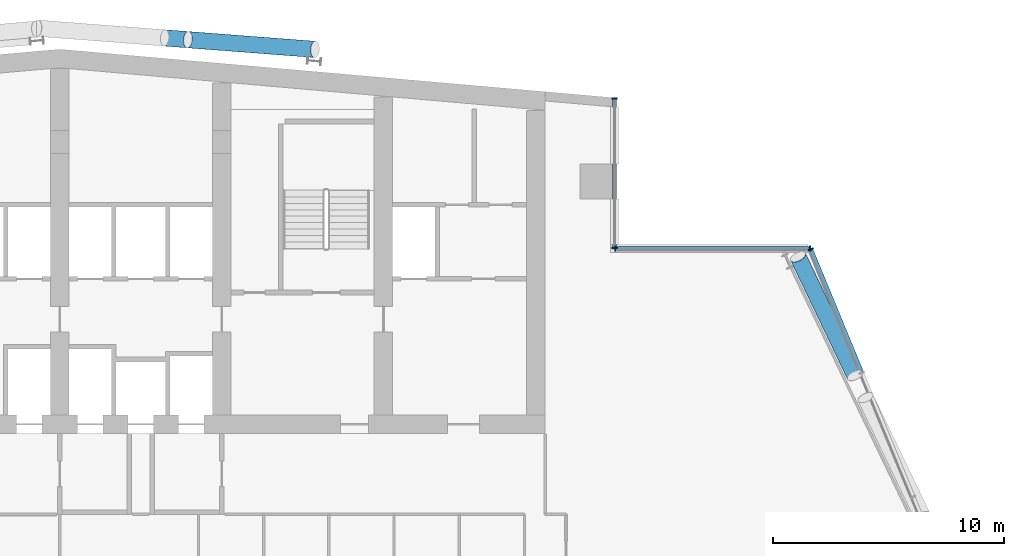
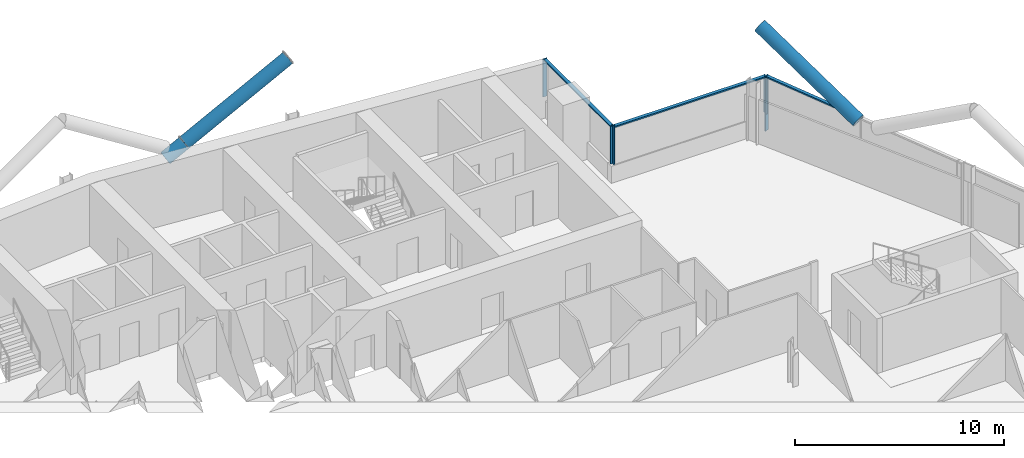
# One storey, part 10 of 27: 11 members, 3 elements without a shape of their own.
"""IFC4 building model written with IfcOpenShell, lengths in metres."""

from ifc_helpers import new_model, si_unit, direction, frame, origin, origin_2d, place, context, subcontext, project, spatial, rectangle, hollow_circle, extrude, material, material_profile, profile_set, type_object, element, aggregate, save


model = new_model("IFC4")

# Units and contexts
model_context = context("Model", 3, precision=1e-05, world=origin(), true_north=direction((0.0, 1.0)))
body_context = subcontext(model_context, "Body", "Model", "MODEL_VIEW")
ifc_project = project(units=[si_unit("LENGTHUNIT", "METRE"), si_unit("AREAUNIT", "SQUARE_METRE"), si_unit("VOLUMEUNIT", "CUBIC_METRE"), si_unit("PLANEANGLEUNIT", "RADIAN"), si_unit("MASSUNIT", "GRAM", prefix="KILO")], contexts=[model_context])

# Site, building, storey
site_placement = place(None, origin())
site = spatial("IfcSite", under=ifc_project, at=site_placement, CompositionType="ELEMENT")
building_placement = place(site_placement, origin())
building = spatial("IfcBuilding", under=site, at=building_placement, Name="Wharfspan Tower", CompositionType="ELEMENT")
storey_placement = place(building_placement, frame((0.0, 0.0, 159.100098)))
storey = spatial("IfcBuildingStorey", under=building, at=storey_placement, Name="L38", CompositionType="ELEMENT", Elevation=159.100098)

# Member
ifc_material_1 = material(Name="Steel S460NH", Category="steel")
ifc_material_profile_1 = material_profile(ifc_material_1, hollow_circle(Radius=0.355469, WallThickness=0.035889, at=origin_2d()))
ifc_profile_set_1 = profile_set([ifc_material_profile_1], Name="Steel S460NH")
member_type_1 = type_object("IfcMemberType", Name="Brace node tie CHS 711x36", PredefinedType="STRUT", material=ifc_profile_set_1)
member_1_placement = place(storey_placement, frame((41.541992, 51.11377, 2.602051), z_axis=(0.855629, -0.065235, 0.513462), x_axis=(0.07602, 0.997102, 2e-06)))
element("IfcMember", 1, at=member_1_placement, inside=storey, type_object=member_type_1, Name="Brace node tie L38 N8", PredefinedType="STRUT", context=body_context, shape_type="SweptSolid", body=[
    extrude(hollow_circle(Radius=0.355469, WallThickness=0.035889, at=origin_2d()), origin(), (0.0, 0.0, 1.0), 1.160156),
])

# Curtain wall, member
ifc_material_2 = material(Name="Aluminium 6063-T6", Category="aluminium")
curtain_wall_type = type_object("IfcCurtainWallType", Name="CURTAIN WALL PROW AND END", PredefinedType="NOTDEFINED", material=ifc_material_2)
curtain_wall_1_placement = place(storey_placement, origin())
curtain_wall_1 = element("IfcCurtainWall", 2, at=curtain_wall_1_placement, inside=storey, type_object=curtain_wall_type, Name="Curtain wall E", PredefinedType="NOTDEFINED")
ifc_material_profile_2 = material_profile(ifc_material_2, rectangle(XDim=0.23999, YDim=0.060059, at=origin_2d()))
ifc_profile_set_2 = profile_set([ifc_material_profile_2], Name="Aluminium 6063-T6")
member_type_2 = type_object("IfcMemberType", Name="MULLION PROW AND END 60x240", PredefinedType="MULLION", material=ifc_profile_set_2)
member_2_placement = place(storey_placement, frame((69.488525, 41.972168, 0.0), z_axis=(0.0, 0.0, 1.0), x_axis=(-0.924325, -0.381602, 0.0)))
member_2 = element("IfcMember", 3, at=member_2_placement, type_object=member_type_2, Name="Curtain wall E mullion 8", PredefinedType="MULLION", context=body_context, shape_type="SweptSolid", body=[
    extrude(rectangle(XDim=0.23999, YDim=0.060059, at=origin_2d()), origin(), (0.0, 0.0, 1.0), 3.199951),
])

# Curtain wall, members
curtain_wall_2_placement = place(storey_placement, origin())
curtain_wall_2 = element("IfcCurtainWall", 4, at=curtain_wall_2_placement, inside=storey, type_object=curtain_wall_type, Name="Curtain wall NRE-H", PredefinedType="NOTDEFINED")
member_3_placement = place(storey_placement, frame((69.447021, 42.0, 1.0), z_axis=(0.0, 0.0, 1.0), x_axis=(0.0, -1.0, 0.0)))
member_3 = element("IfcMember", 5, at=member_3_placement, type_object=member_type_2, Name="Curtain wall NRE-H mullion 1", PredefinedType="MULLION", context=body_context, shape_type="SweptSolid", body=[
    extrude(rectangle(XDim=0.23999, YDim=0.060059, at=origin_2d()), origin(), (0.0, 0.0, 1.0), 2.199951),
])
member_4_placement = place(storey_placement, frame((61.030029, 42.0, 1.0), z_axis=(0.0, 0.0, 1.0), x_axis=(0.0, -1.0, 0.0)))
member_4 = element("IfcMember", 6, at=member_4_placement, type_object=member_type_2, Name="Curtain wall NRE-H mullion 2", PredefinedType="MULLION", context=body_context, shape_type="SweptSolid", body=[
    extrude(rectangle(XDim=0.23999, YDim=0.060059, at=origin_2d()), origin(), (0.0, 0.0, 1.0), 2.199951),
])

curtain_wall_3_placement = place(storey_placement, origin())
curtain_wall_3 = element("IfcCurtainWall", 7, at=curtain_wall_3_placement, inside=storey, type_object=curtain_wall_type, Name="Curtain wall NRE-V", PredefinedType="NOTDEFINED")
member_5_placement = place(storey_placement, frame((61.0, 42.030029, 1.0), z_axis=(0.0, 0.0, 1.0), x_axis=(-1.0, 0.0, 0.0)))
member_5 = element("IfcMember", 8, at=member_5_placement, type_object=member_type_2, Name="Curtain wall NRE-V mullion 1", PredefinedType="MULLION", context=body_context, shape_type="SweptSolid", body=[
    extrude(rectangle(XDim=0.23999, YDim=0.060059, at=origin_2d()), origin(), (0.0, 0.0, 1.0), 2.199951),
])
member_6_placement = place(storey_placement, frame((61.0, 48.494873, 1.0), z_axis=(0.0, 0.0, 1.0), x_axis=(-1.0, 0.0, 0.0)))
member_6 = element("IfcMember", 9, at=member_6_placement, type_object=member_type_2, Name="Curtain wall NRE-V mullion 2", PredefinedType="MULLION", context=body_context, shape_type="SweptSolid", body=[
    extrude(rectangle(XDim=0.23999, YDim=0.060059, at=origin_2d()), origin(), (0.0, 0.0, 1.0), 2.199951),
])

# Members
ifc_material_profile_3 = material_profile(ifc_material_1, hollow_circle(Radius=0.355469, WallThickness=0.035889, at=origin_2d()))
ifc_profile_set_3 = profile_set([ifc_material_profile_3], Name="Steel S460NH")
member_type_3 = type_object("IfcMemberType", Name="Mega brace CHS 711x36", PredefinedType="BRACE", material=ifc_profile_set_3)
member_7_placement = place(storey_placement, frame((71.401123, 36.504395, 3.205566), z_axis=(-0.374112, 0.780716, 0.500522), x_axis=(-0.901807, -0.432139, 2e-06)))
element("IfcMember", 10, at=member_7_placement, inside=storey, type_object=member_type_3, Name="Mega brace E6 L38 part 2", PredefinedType="BRACE", context=body_context, shape_type="SweptSolid", body=[
    extrude(hollow_circle(Radius=0.355469, WallThickness=0.035889, at=origin_2d()), origin(), (0.0, 0.0, 1.0), 6.582031),
])
member_8_placement = place(storey_placement, frame((42.543213, 51.037354, 3.202881), z_axis=(0.855596, -0.065362, 0.513502), x_axis=(0.076171, 0.997095, 1e-06)))
element("IfcMember", 11, at=member_8_placement, inside=storey, type_object=member_type_3, Name="Mega brace N8 L38 part 2", PredefinedType="BRACE", context=body_context, shape_type="SweptSolid", body=[
    extrude(hollow_circle(Radius=0.355469, WallThickness=0.035889, at=origin_2d()), origin(), (0.0, 0.0, 1.0), 6.420898),
])

# Member
ifc_material_profile_4 = material_profile(ifc_material_2, rectangle(XDim=0.179932, YDim=0.080078, at=origin_2d()))
ifc_profile_set_4 = profile_set([ifc_material_profile_4], Name="Aluminium 6063-T6")
member_type_4 = type_object("IfcMemberType", Name="TRANSOM PROW AND END 80x180", PredefinedType="USERDEFINED", material=ifc_profile_set_4)
member_9_placement = place(storey_placement, frame((71.683105, 36.65625, 3.159912), z_axis=(-0.38158, 0.924336, 0.0), x_axis=(-0.924336, -0.38158, 0.0)))
member_9 = element("IfcMember", 12, at=member_9_placement, type_object=member_type_4, Name="Curtain wall E transom 7", ObjectType="TRANSOM", PredefinedType="USERDEFINED", context=body_context, shape_type="SweptSolid", body=[
    extrude(rectangle(XDim=0.179932, YDim=0.080078, at=origin_2d()), origin(), (0.0, 0.0, 1.0), 5.721191),
])

aggregate(curtain_wall_1, [member_2, member_9])

member_10_placement = place(storey_placement, frame((69.416992, 42.0, 3.159912), z_axis=(-1.0, 0.0, 0.0), x_axis=(0.0, -1.0, 0.0)))
member_10 = element("IfcMember", 13, at=member_10_placement, type_object=member_type_4, Name="Curtain wall NRE-H transom 1", ObjectType="TRANSOM", PredefinedType="USERDEFINED", context=body_context, shape_type="SweptSolid", body=[
    extrude(rectangle(XDim=0.179932, YDim=0.080078, at=origin_2d()), origin(), (0.0, 0.0, 1.0), 8.356934),
])

aggregate(curtain_wall_2, [member_3, member_4, member_10])

member_11_placement = place(storey_placement, frame((61.0, 42.060059, 3.159912), z_axis=(0.0, 1.0, 0.0), x_axis=(-1.0, 0.0, 0.0)))
member_11 = element("IfcMember", 14, at=member_11_placement, type_object=member_type_4, Name="Curtain wall NRE-V transom 1", ObjectType="TRANSOM", PredefinedType="USERDEFINED", context=body_context, shape_type="SweptSolid", body=[
    extrude(rectangle(XDim=0.179932, YDim=0.080078, at=origin_2d()), origin(), (0.0, 0.0, 1.0), 6.404785),
])

aggregate(curtain_wall_3, [member_5, member_6, member_11])

save(model, "model.ifc")
